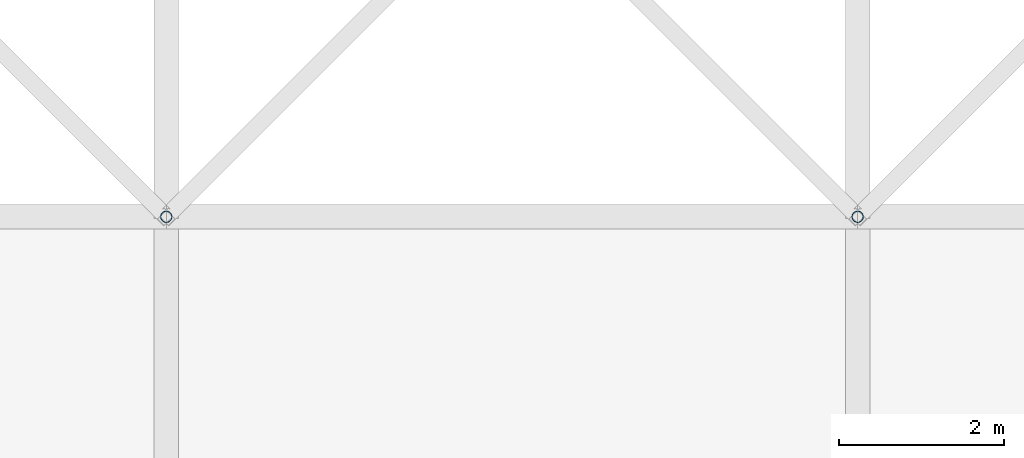
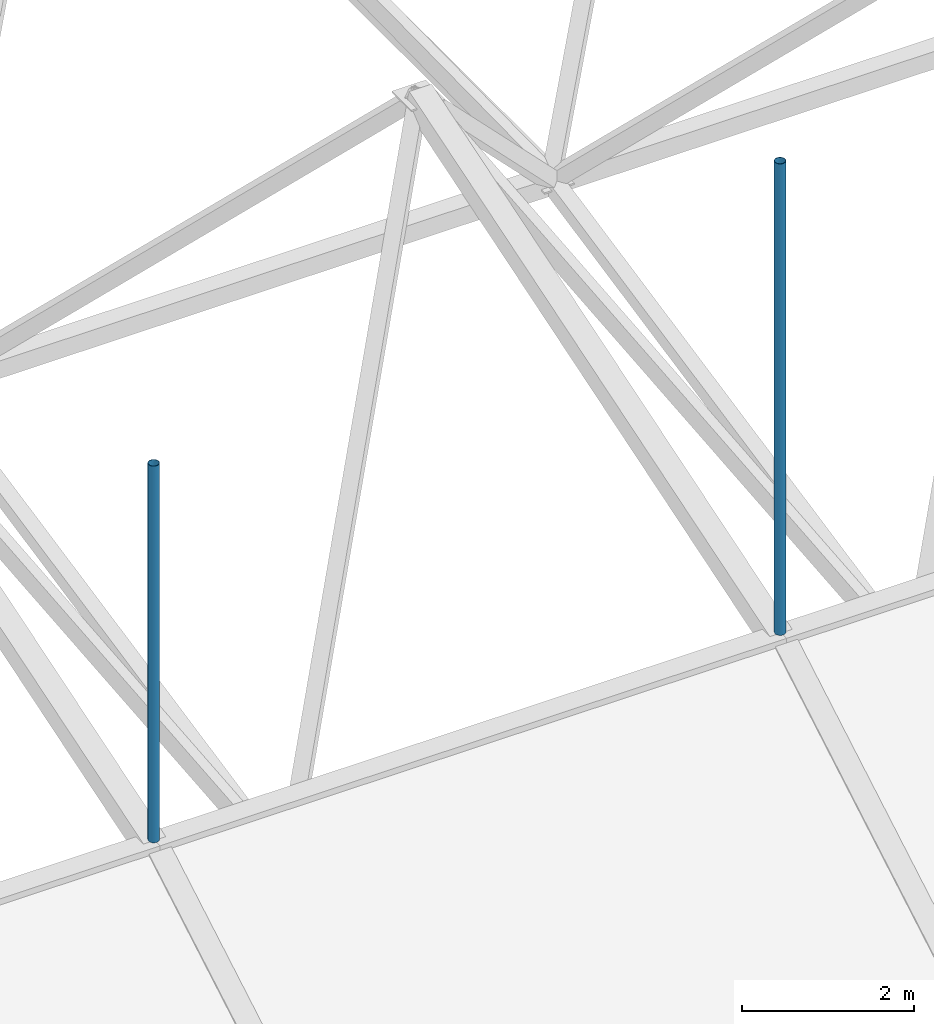
# One storey, part 48 of 111: 2 discrete accessories.
"""IFC4 building model written with IfcOpenShell, lengths in metres."""

from ifc_helpers import new_model, si_unit, direction, frame, origin, origin_2d, place, context, subcontext, project, spatial, hollow_circle, extrude, material, material_profile, profile_set, type_object, element, save


model = new_model("IFC4")

# Units and contexts
model_context = context("Model", 3, precision=1e-05, world=origin(), true_north=direction((0.0, 1.0)))
body_context = subcontext(model_context, "Body", "Model", "MODEL_VIEW")
ifc_project = project(units=[si_unit("LENGTHUNIT", "METRE"), si_unit("AREAUNIT", "SQUARE_METRE"), si_unit("VOLUMEUNIT", "CUBIC_METRE"), si_unit("PLANEANGLEUNIT", "RADIAN"), si_unit("MASSUNIT", "GRAM", prefix="KILO")], contexts=[model_context])

# Site, building, storey
site_placement = place(None, origin())
site = spatial("IfcSite", under=ifc_project, at=site_placement, CompositionType="ELEMENT")
building_placement = place(site_placement, origin())
building = spatial("IfcBuilding", under=site, at=building_placement, Name="Rain Tree Exposition and Congress Centre", CompositionType="ELEMENT")
storey_placement = place(building_placement, frame((0.0, 0.0, 19.5)))
storey = spatial("IfcBuildingStorey", under=building, at=storey_placement, Name="RF", CompositionType="ELEMENT", Elevation=19.5)

# Discrete accessories
ifc_material = material(Name="Steel S355J2H", Category="steel")
ifc_material_profile = material_profile(ifc_material, hollow_circle(Radius=0.06982421875, WallThickness=0.0048828125, at=origin_2d()), Name="CHS 140x5")
ifc_profile_set = profile_set([ifc_material_profile], Name="Steel S355J2H")
discrete_accessory_type = type_object("IfcDiscreteAccessoryType", Name="Roof skin post CHS 140x5", PredefinedType="BRACKET", material=ifc_profile_set)
discrete_accessory_1_placement = place(storey_placement, frame((193.199951171875, 109.199951171875, 5.39404296875), z_axis=(0.0, 0.0, 1.0), x_axis=(1.0, 0.0, 0.0)))
element("IfcDiscreteAccessory", 1, at=discrete_accessory_1_placement, inside=storey, type_object=discrete_accessory_type, Name="Roof skin post B20", PredefinedType="BRACKET", context=body_context, shape_type="SweptSolid", body=[
    extrude(hollow_circle(Radius=0.06982421875, WallThickness=0.0048828125, at=origin_2d()), origin(), (0.0, 0.0, 1.0), 5.33984375),
])
discrete_accessory_2_placement = place(storey_placement, frame((201.60009765625, 109.199951171875, 5.39404296875), z_axis=(0.0, 0.0, 1.0), x_axis=(1.0, 0.0, 0.0)))
element("IfcDiscreteAccessory", 2, at=discrete_accessory_2_placement, inside=storey, type_object=discrete_accessory_type, Name="Roof skin post B21", PredefinedType="BRACKET", context=body_context, shape_type="SweptSolid", body=[
    extrude(hollow_circle(Radius=0.06982421875, WallThickness=0.0048828125, at=origin_2d()), origin(), (0.0, 0.0, 1.0), 6.68359375),
])

save(model, "model.ifc")
